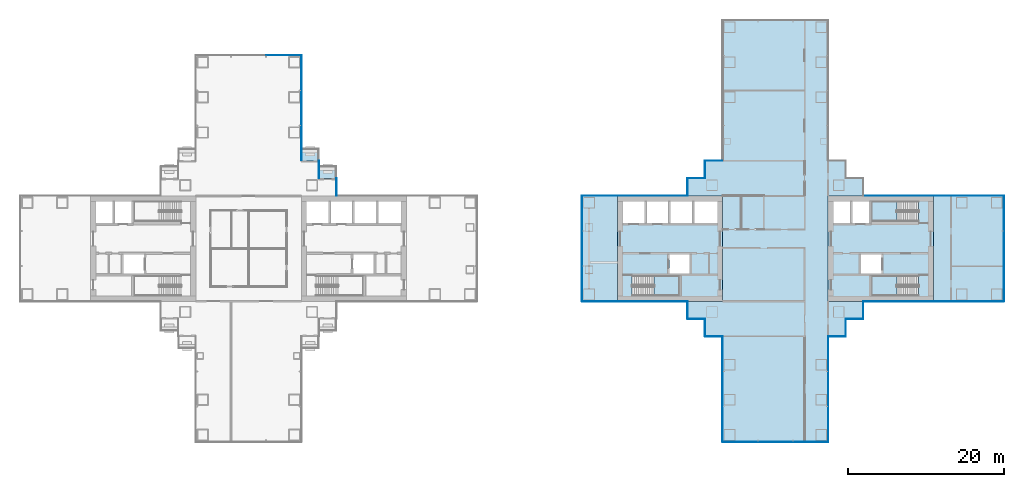
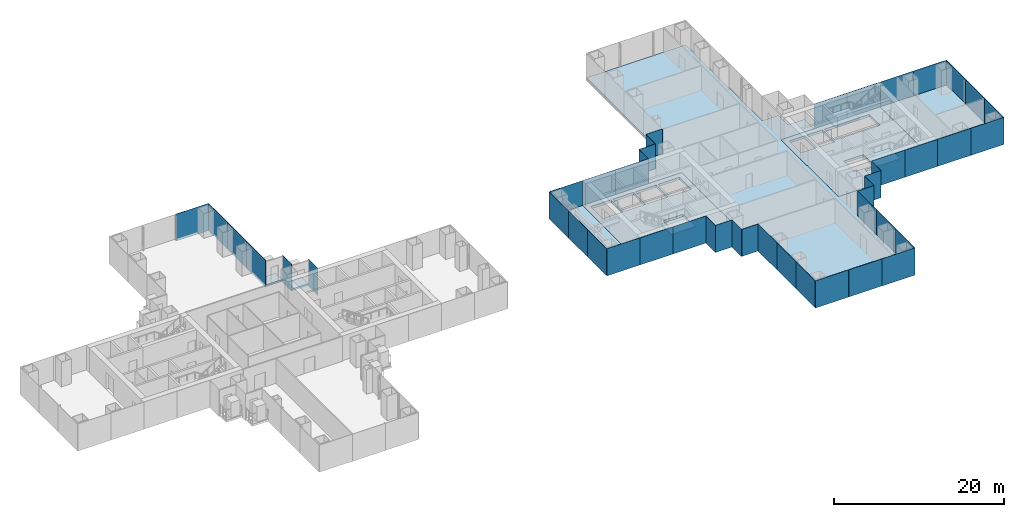
# One storey, part 12 of 21: 47 plates, 10 slabs, 22 elements without a shape of their own.
"""IFC4 building model written with IfcOpenShell, lengths in metres."""

import ifcopenshell
import ifcopenshell.guid

model = None  # the IFC model being written
_history = None  # IfcOwnerHistory: only IFC2X3 demands one
_inside = {}  # id of a spatial element -> (the spatial element, [elements in it])
_under = {}  # id of a project, library or spatial element -> (it, [spatial elements below it])
_declared = {}  # id of a project -> (the project, [libraries it declares])
_typed = {}  # id of a type object -> (the type object, [elements of that type])
_made_of = {}  # id of a material, layer set ... -> (it, [elements and type objects made of it])


def new_model(schema):
    """Start an empty IFC model of exactly this schema.

    Asked for "IFC4X3", IfcOpenShell would pick the latest addendum, in which some entities
    have other attributes; the version numbers below select the first issue.
    IFC2X3 requires an IfcOwnerHistory on every rooted entity: one is made here for all.
    """
    global model, _history
    if schema == "IFC4X3":
        model = ifcopenshell.file(schema_version=(4, 3, 0, 0))
    else:
        model = ifcopenshell.file(schema=schema)
    _inside.clear()
    _under.clear()
    _declared.clear()
    _typed.clear()
    _made_of.clear()
    _history = None
    if model.schema == "IFC2X3":
        org = make("IfcOrganization", Name="unknown")
        user = make(
            "IfcPersonAndOrganization",
            ThePerson=make("IfcPerson", FamilyName="unknown"),
            TheOrganization=org,
        )
        app = make(
            "IfcApplication",
            ApplicationDeveloper=org,
            Version="unknown",
            ApplicationFullName="unknown",
            ApplicationIdentifier="unknown",
        )
        _history = make(
            "IfcOwnerHistory",
            OwningUser=user,
            OwningApplication=app,
            ChangeAction="ADDED",
            CreationDate=0,
        )
    return model


def make(cls, **values):
    """One entity of the class cls with the attributes given. An attribute that is None is left unset."""
    return model.create_entity(
        cls, **{name: value for name, value in values.items() if value is not None}
    )


def rooted(cls, **values):
    """An entity with a GlobalId (a new one), such as an element, a storey or a relation."""
    return make(cls, GlobalId=ifcopenshell.guid.new(), OwnerHistory=_history, **values)


def si_unit(unit_type, name, prefix=None):
    """IfcSIUnit, for example si_unit("LENGTHUNIT", "METRE", prefix="MILLI")."""
    return make("IfcSIUnit", UnitType=unit_type, Prefix=prefix, Name=name)


def assignment(units):
    """IfcUnitAssignment: the units of a project."""
    return None if units is None else make("IfcUnitAssignment", Units=units)


def point(xyz):
    """IfcCartesianPoint."""
    return None if xyz is None else make("IfcCartesianPoint", Coordinates=xyz)


def direction(xyz):
    """IfcDirection."""
    return None if xyz is None else make("IfcDirection", DirectionRatios=xyz)


def frame(location, z_axis=None, x_axis=None):
    """IfcAxis2Placement3D, a coordinate frame: its origin and axes. An axis left out is left unset."""
    return make(
        "IfcAxis2Placement3D",
        Location=point(location),
        Axis=direction(z_axis),
        RefDirection=direction(x_axis),
    )


def frame_2d(location, x_axis=None):
    """IfcAxis2Placement2D, a coordinate frame in the plane: its origin and x axis."""
    return make(
        "IfcAxis2Placement2D", Location=point(location), RefDirection=direction(x_axis)
    )


def origin():
    """The frame at (0, 0, 0) with its axes left unset."""
    return frame((0.0, 0.0, 0.0))


def origin_2d():
    """The frame at (0, 0) in the plane with its x axis left unset."""
    return frame_2d((0.0, 0.0))


def place(relative_to, where):
    """IfcLocalPlacement: puts the frame where relative to a parent placement (None: the world)."""
    return make(
        "IfcLocalPlacement", PlacementRelTo=relative_to, RelativePlacement=where
    )


def context(
    kind, dimensions, precision=None, world=None, true_north=None, identifier=None
):
    """IfcGeometricRepresentationContext, for example the 3D "Model" context."""
    return make(
        "IfcGeometricRepresentationContext",
        ContextIdentifier=identifier,
        ContextType=kind,
        CoordinateSpaceDimension=dimensions,
        Precision=precision,
        WorldCoordinateSystem=world,
        TrueNorth=true_north,
    )


def subcontext(parent, identifier, kind, view, scale=None):
    """IfcGeometricRepresentationSubContext, for example "Body" below "Model"."""
    return make(
        "IfcGeometricRepresentationSubContext",
        ContextIdentifier=identifier,
        ContextType=kind,
        ParentContext=parent,
        TargetScale=scale,
        TargetView=view,
    )


def project(units=None, contexts=None):
    """IfcProject with its units and contexts."""
    return rooted(
        "IfcProject",
        Name="project",
        RepresentationContexts=contexts,
        UnitsInContext=assignment(units),
    )


def spatial(cls, under=None, at=None, **own):
    """A site, building, storey or space (cls), placed at a placement, below another one or the project."""
    s = rooted(cls, ObjectPlacement=at, **own)
    if under is not None:
        _under.setdefault(under.id(), (under, []))[1].append(s)
    return s


def polyline(points):
    """IfcPolyline through the points."""
    return make("IfcPolyline", Points=[point(p) for p in points])


def profile(cls, at=None, kind="AREA", **sizes):
    """A parametric profile (cls). Its sizes go by their IFC names, for example OverallWidth=200.0."""
    return make(cls, ProfileType=kind, Position=at, **sizes)


def rectangle(**sizes):
    """IfcRectangleProfileDef."""
    return profile("IfcRectangleProfileDef", **sizes)


def outline(outer, holes=None, kind="AREA"):
    """IfcArbitraryClosedProfileDef: a profile drawn as a closed curve; with holes, ...WithVoids."""
    if holes is None:
        return make("IfcArbitraryClosedProfileDef", ProfileType=kind, OuterCurve=outer)
    return make(
        "IfcArbitraryProfileDefWithVoids",
        ProfileType=kind,
        OuterCurve=outer,
        InnerCurves=holes,
    )


def extrude(swept, where, along, depth):
    """IfcExtrudedAreaSolid: the profile swept, set in the frame where, extruded along a direction by depth."""
    return make(
        "IfcExtrudedAreaSolid",
        SweptArea=swept,
        Position=where,
        ExtrudedDirection=direction(along),
        Depth=depth,
    )


def shape(context_of_items, identifier, shape_type, items):
    """IfcShapeRepresentation: the items that make up one representation, for example the "Body"."""
    return make(
        "IfcShapeRepresentation",
        ContextOfItems=context_of_items,
        RepresentationIdentifier=identifier,
        RepresentationType=shape_type,
        Items=items,
    )


def material(Name=None, Category=None):
    """IfcMaterial."""
    return make("IfcMaterial", Name=Name, Category=Category)


def layer(
    of_material, thickness, ventilated=None, Name=None, Category=None, Priority=None
):
    """IfcMaterialLayer: one layer of a wall or slab, of a material (None: an air gap)."""
    return make(
        "IfcMaterialLayer",
        Material=of_material,
        LayerThickness=thickness,
        IsVentilated=ventilated,
        Name=Name,
        Category=Category,
        Priority=Priority,
    )


def layer_set(layers, Name=None):
    """IfcMaterialLayerSet."""
    return make("IfcMaterialLayerSet", MaterialLayers=layers, LayerSetName=Name)


def made_of(thing, what):
    """Note that an element or type object is made of a material, layer set ...; save() writes the relation."""
    if what is not None:
        _made_of.setdefault(what.id(), (what, []))[1].append(thing)
    return thing


def type_object(cls, material=None, **own):
    """A type object (cls), such as IfcWallType, which elements share."""
    return made_of(rooted(cls, **own), material)


def element(
    cls,
    number,
    at=None,
    inside=None,
    cuts=None,
    type_object=None,
    material=None,
    context=None,
    identifier="Body",
    shape_type=None,
    held_by="IfcProductDefinitionShape",
    body=None,
    shapes=None,
    **own,
):
    """One element of the class cls, such as IfcWall. Its Tag is "e" and its number.

    at: its placement. inside: the storey or other place that contains it. cuts: it is an
    opening in that element (IfcRelVoidsElement). A single representation is given by context,
    identifier, shape_type and body (its items); several are given by shapes. held_by: the class
    of the entity that holds the representations. save() writes the other relations.
    """
    e = rooted(cls, Tag="e%d" % number, ObjectPlacement=at, **own)
    if body is not None:
        shapes = [shape(context, identifier, shape_type, body)]
    if shapes is not None:
        e.Representation = make(held_by, Representations=shapes)
    if inside is not None:
        _inside.setdefault(inside.id(), (inside, []))[1].append(e)
    if cuts is not None:
        rooted(
            "IfcRelVoidsElement", RelatingBuildingElement=cuts, RelatedOpeningElement=e
        )
    if type_object is not None:
        _typed.setdefault(type_object.id(), (type_object, []))[1].append(e)
    return made_of(e, material)


def aggregate(whole, parts):
    """IfcRelAggregates: a whole, such as a stair, and the parts it consists of."""
    return rooted("IfcRelAggregates", RelatingObject=whole, RelatedObjects=parts)


def save(model, path):
    """Write the relations noted so far, then the file.

    IfcRelAggregates (storeys below a building ...), IfcRelContainedInSpatialStructure (elements
    in a storey), IfcRelDefinesByType, IfcRelAssociatesMaterial and IfcRelDeclares: one each for
    every whole, place, type object, material and project.
    """
    for whole, parts in _under.values():
        aggregate(whole, parts)
    for where, things in _inside.values():
        rooted(
            "IfcRelContainedInSpatialStructure",
            RelatedElements=things,
            RelatingStructure=where,
        )
    for kind, things in _typed.values():
        rooted("IfcRelDefinesByType", RelatedObjects=things, RelatingType=kind)
    for what, things in _made_of.values():
        rooted("IfcRelAssociatesMaterial", RelatedObjects=things, RelatingMaterial=what)
    for by, libraries in _declared.values():
        rooted("IfcRelDeclares", RelatingContext=by, RelatedDefinitions=libraries)
    model.write(path)


model = new_model("IFC4")

# Units and contexts
model_context = context("Model", 3, precision=1e-05, world=origin(), true_north=direction((0.0, 1.0)))
body_context = subcontext(model_context, "Body", "Model", "MODEL_VIEW")
ifc_project = project(units=[si_unit("LENGTHUNIT", "METRE"), si_unit("AREAUNIT", "SQUARE_METRE"), si_unit("VOLUMEUNIT", "CUBIC_METRE"), si_unit("PLANEANGLEUNIT", "RADIAN"), si_unit("MASSUNIT", "GRAM", prefix="KILO")], contexts=[model_context])

# Site, building, storey
site_placement = place(None, origin())
site = spatial("IfcSite", under=ifc_project, at=site_placement, CompositionType="ELEMENT")
building_placement = place(site_placement, origin())
building = spatial("IfcBuilding", under=site, at=building_placement, Name="Shamsa Quay Exchange Towers", CompositionType="ELEMENT")
storey_placement = place(building_placement, frame((0.0, 0.0, 65.39990234375)))
storey = spatial("IfcBuildingStorey", under=building, at=storey_placement, Name="L14", CompositionType="ELEMENT", Elevation=65.39990234375)

# Slabs
ifc_material_1 = material(Name="Precast concrete C40/50", Category="concrete")
ifc_layer_1 = layer(ifc_material_1, 0.25)
ifc_layer_set_1 = layer_set([ifc_layer_1], Name="BALCONY SLAB 250")
slab_type_1 = type_object("IfcSlabType", Name="BALCONY SLAB 250", PredefinedType="FLOOR", material=ifc_layer_set_1)
slab_1_placement = place(storey_placement, frame((0.0, 0.0, -0.25)))
element("IfcSlab", 1, at=slab_1_placement, inside=storey, type_object=slab_type_1, Name="Balcony T1-PKEN L14", PredefinedType="FLOOR", context=body_context, shape_type="SweptSolid", body=[
    extrude(outline(polyline([(-22.5, 9.0), (-24.7119140625, 9.0), (-24.7119140625, 10.550048828125), (-22.5, 10.550048828125), (-22.5, 9.0)])), origin(), (0.0, 0.0, 1.0), 0.25),
])
slab_2_placement = place(storey_placement, frame((0.0, 0.0, -0.25)))
element("IfcSlab", 2, at=slab_2_placement, inside=storey, type_object=slab_type_1, Name="Balcony T1-PKEN L14", PredefinedType="FLOOR", context=body_context, shape_type="SweptSolid", body=[
    extrude(outline(polyline([(-24.75, 11.25), (-26.9619140625, 11.25), (-26.9619140625, 12.800048828125), (-24.75, 12.800048828125), (-24.75, 11.25)])), origin(), (0.0, 0.0, 1.0), 0.25),
])
ifc_material_2 = material(Name="Concrete C50/60", Category="concrete")
ifc_layer_2 = layer(ifc_material_2, 0.35009765625)
ifc_layer_set_2 = layer_set([ifc_layer_2], Name="CORE FLOOR 350 C50/60")
slab_type_2 = type_object("IfcSlabType", Name="CORE FLOOR 350 C50/60", PredefinedType="FLOOR", material=ifc_layer_set_2)
slab_3_placement = place(storey_placement, frame((0.0, 0.0, -0.349853515625)))
element("IfcSlab", 3, at=slab_3_placement, inside=storey, type_object=slab_type_2, Name="Core floor T2A", PredefinedType="FLOOR", context=body_context, shape_type="SweptSolid", body=[
    extrude(outline(polyline([(13.5, -6.75), (27.0, -6.75), (27.0, 6.75), (13.5, 6.75), (13.5, -6.75)]), holes=[polyline([(15.400634765625, -6.050048828125), (15.400634765625, -3.5), (21.5, -3.5), (21.5, -6.050048828125), (15.400634765625, -6.050048828125)]), polyline([(14.199951171875, 3.25), (14.199951171875, 6.050048828125), (17.0, 6.050048828125), (17.0, 3.25), (14.199951171875, 3.25)]), polyline([(17.25, 3.25), (17.25, 6.050048828125), (20.050048828125, 6.050048828125), (20.050048828125, 3.25), (17.25, 3.25)]), polyline([(20.300048828125, 3.25), (20.300048828125, 6.050048828125), (23.10009765625, 6.050048828125), (23.10009765625, 3.25), (20.300048828125, 3.25)]), polyline([(23.35009765625, 3.25), (23.35009765625, 6.050048828125), (26.300048828125, 6.050048828125), (26.300048828125, 3.25), (23.35009765625, 3.25)]), polyline([(20.14990234375, -3.25), (20.14990234375, -0.75), (22.800048828125, -0.75), (22.800048828125, -3.25), (20.14990234375, -3.25)])]), origin(), (0.0, 0.0, 1.0), 0.349853515625),
])
slab_4_placement = place(storey_placement, frame((0.0, 0.0, -0.349853515625)))
element("IfcSlab", 4, at=slab_4_placement, inside=storey, type_object=slab_type_2, Name="Core floor T2B", PredefinedType="FLOOR", context=body_context, shape_type="SweptSolid", body=[
    extrude(outline(polyline([(54.0, -6.75), (54.0, 6.75), (40.5, 6.75), (40.5, -6.75), (54.0, -6.75)]), holes=[polyline([(52.099365234375, -3.5), (52.099365234375, -6.050048828125), (46.0, -6.050048828125), (46.0, -3.5), (52.099365234375, -3.5)]), polyline([(52.099365234375, 6.050048828125), (52.099365234375, 3.5), (46.0, 3.5), (46.0, 6.050048828125), (52.099365234375, 6.050048828125)]), polyline([(45.75, 3.25), (43.60009765625, 3.25), (43.60009765625, 6.050048828125), (45.75, 6.050048828125), (45.75, 3.25)]), polyline([(43.35009765625, 3.25), (41.199951171875, 3.25), (41.199951171875, 6.050048828125), (43.35009765625, 6.050048828125), (43.35009765625, 3.25)]), polyline([(47.35009765625, -3.25), (44.699951171875, -3.25), (44.699951171875, -0.75), (47.35009765625, -0.75), (47.35009765625, -3.25)])]), origin(), (0.0, 0.0, 1.0), 0.349853515625),
])

# Stair, slab
ifc_material_3 = material(Name="Concrete C40/50", Category="concrete")
stair_type = type_object("IfcStairType", Name="EXIT STAIR 22 RISERS 177 MM", PredefinedType="HALF_TURN_STAIR", material=ifc_material_3)
stair_1_placement = place(storey_placement, origin())
stair_1 = element("IfcStair", 5, at=stair_1_placement, inside=storey, type_object=stair_type, Name="L14 Exit stair ST4", PredefinedType="HALF_TURN_STAIR")
ifc_layer_3 = layer(ifc_material_3, 0.199951171875)
ifc_layer_set_3 = layer_set([ifc_layer_3], Name="CORE STAIR LANDING")
slab_type_3 = type_object("IfcSlabType", Name="CORE STAIR LANDING", PredefinedType="LANDING", material=ifc_layer_set_3)
slab_5_placement = place(storey_placement, frame((0.0, 0.0, 1.75)))
slab_5 = element("IfcSlab", 6, at=slab_5_placement, type_object=slab_type_3, Name="ST4 landing 1", PredefinedType="LANDING", context=body_context, shape_type="SweptSolid", body=[
    extrude(outline(polyline([(18.199951171875, -6.050048828125), (21.5, -6.050048828125), (21.5, -3.5), (18.199951171875, -3.5), (18.199951171875, -6.050048828125)])), origin(), (0.0, 0.0, 1.0), 0.2001953125),
])
aggregate(stair_1, [slab_5])

stair_2_placement = place(storey_placement, origin())
stair_2 = element("IfcStair", 7, at=stair_2_placement, inside=storey, type_object=stair_type, Name="L14 Exit stair ST5", PredefinedType="HALF_TURN_STAIR")
slab_6_placement = place(storey_placement, frame((0.0, 0.0, 1.75)))
slab_6 = element("IfcSlab", 8, at=slab_6_placement, type_object=slab_type_3, Name="ST5 landing 1", PredefinedType="LANDING", context=body_context, shape_type="SweptSolid", body=[
    extrude(outline(polyline([(49.300048828125, -3.5), (46.0, -3.5), (46.0, -6.050048828125), (49.300048828125, -6.050048828125), (49.300048828125, -3.5)])), origin(), (0.0, 0.0, 1.0), 0.2001953125),
])
aggregate(stair_2, [slab_6])

stair_3_placement = place(storey_placement, origin())
stair_3 = element("IfcStair", 9, at=stair_3_placement, inside=storey, type_object=stair_type, Name="L14 Exit stair ST6", PredefinedType="HALF_TURN_STAIR")
slab_7_placement = place(storey_placement, frame((0.0, 0.0, 1.75)))
slab_7 = element("IfcSlab", 10, at=slab_7_placement, type_object=slab_type_3, Name="ST6 landing 1", PredefinedType="LANDING", context=body_context, shape_type="SweptSolid", body=[
    extrude(outline(polyline([(49.300048828125, 6.050048828125), (46.0, 6.050048828125), (46.0, 3.5), (49.300048828125, 3.5), (49.300048828125, 6.050048828125)])), origin(), (0.0, 0.0, 1.0), 0.2001953125),
])
aggregate(stair_3, [slab_7])

# Curtain wall, plates
ifc_material_4 = material(Name="Aluminium EN AW-6063 T6, black anodised", Category="aluminium")
ifc_layer_4 = layer(ifc_material_4, 0.280029296875)
ifc_layer_set_4 = layer_set([ifc_layer_4], Name="CW-1 UNITISED VISION GLASS")
curtain_wall_type_1 = type_object("IfcCurtainWallType", Name="CW-1 UNITISED VISION GLASS", PredefinedType="NOTDEFINED", material=ifc_layer_set_4)
curtain_wall_1_placement = place(storey_placement, origin())
curtain_wall_1 = element("IfcCurtainWall", 11, at=curtain_wall_1_placement, inside=storey, type_object=curtain_wall_type_1, Name="CW1 T1-FLK-V+E L14", PredefinedType="NOTDEFINED")
ifc_material_5 = material(Name="Glass, laminated, dark tinted", Category="glass")
ifc_layer_5 = layer(ifc_material_5, 0.0400390625)
ifc_layer_set_5 = layer_set([ifc_layer_5], Name="CW-1 VISION GLASS 40")
plate_type_1 = type_object("IfcPlateType", Name="CW-1 VISION GLASS 40", PredefinedType="CURTAIN_PANEL", material=ifc_layer_set_5)
plate_1_placement = place(storey_placement, frame((-26.97998046875, 13.529052734375, -0.349853515625), z_axis=(0.0, 0.0, 1.0), x_axis=(0.0, 1.0, 0.0)))
plate_1 = element("IfcPlate", 12, at=plate_1_placement, type_object=plate_type_1, Name="CW1 glass panel", PredefinedType="CURTAIN_PANEL", context=body_context, shape_type="SweptSolid", body=[
    extrude(rectangle(XDim=4.482421875, YDim=0.0400390625, at=origin_2d()), origin(), (0.0, 0.0, 1.0), 3.89990234375),
])
plate_2_placement = place(storey_placement, frame((-26.97998046875, 18.01904296875, -0.349853515625), z_axis=(0.0, 0.0, 1.0), x_axis=(0.0, 1.0, 0.0)))
plate_2 = element("IfcPlate", 13, at=plate_2_placement, type_object=plate_type_1, Name="CW1 glass panel", PredefinedType="CURTAIN_PANEL", context=body_context, shape_type="SweptSolid", body=[
    extrude(rectangle(XDim=4.477294921875, YDim=0.0400390625, at=origin_2d()), origin(), (0.0, 0.0, 1.0), 3.89990234375),
])
plate_3_placement = place(storey_placement, frame((-26.97998046875, 22.5087890625, -0.349853515625), z_axis=(0.0, 0.0, 1.0), x_axis=(0.0, 1.0, 0.0)))
plate_3 = element("IfcPlate", 14, at=plate_3_placement, type_object=plate_type_1, Name="CW1 glass panel", PredefinedType="CURTAIN_PANEL", context=body_context, shape_type="SweptSolid", body=[
    extrude(rectangle(XDim=4.482421875, YDim=0.0400390625, at=origin_2d()), origin(), (0.0, 0.0, 1.0), 3.89990234375),
])
aggregate(curtain_wall_1, [plate_1, plate_2, plate_3])

# Curtain wall, plate
curtain_wall_2_placement = place(storey_placement, origin())
curtain_wall_2 = element("IfcCurtainWall", 15, at=curtain_wall_2_placement, inside=storey, type_object=curtain_wall_type_1, Name="CW1 T1-END-V+ L14", PredefinedType="NOTDEFINED")
plate_4_placement = place(storey_placement, frame((-29.24755859375, 24.77001953125, -0.349853515625), z_axis=(0.0, 0.0, 1.0), x_axis=(-1.0, 0.0, 0.0)))
plate_4 = element("IfcPlate", 16, at=plate_4_placement, type_object=plate_type_1, Name="CW1 glass panel", PredefinedType="CURTAIN_PANEL", context=body_context, shape_type="SweptSolid", body=[
    extrude(rectangle(XDim=4.4951171875, YDim=0.0400390625, at=origin_2d()), origin(), (0.0, 0.0, 1.0), 3.89990234375),
])
aggregate(curtain_wall_2, [plate_4])

# Curtain wall, plates
curtain_wall_3_placement = place(storey_placement, origin())
curtain_wall_3 = element("IfcCurtainWall", 17, at=curtain_wall_3_placement, inside=storey, type_object=curtain_wall_type_1, Name="CW1 T2-FLK-V-W L14", PredefinedType="NOTDEFINED")
plate_5_placement = place(storey_placement, frame((56.24755859375, -6.77001953125, -0.349853515625)))
plate_5 = element("IfcPlate", 18, at=plate_5_placement, type_object=plate_type_1, Name="CW1 glass panel", PredefinedType="CURTAIN_PANEL", context=body_context, shape_type="SweptSolid", body=[
    extrude(rectangle(XDim=4.4951171875, YDim=0.0400390625, at=origin_2d()), origin(), (0.0, 0.0, 1.0), 3.89990234375),
])
plate_6_placement = place(storey_placement, frame((60.75244140625, -6.77001953125, -0.349853515625)))
plate_6 = element("IfcPlate", 19, at=plate_6_placement, type_object=plate_type_1, Name="CW1 glass panel", PredefinedType="CURTAIN_PANEL", context=body_context, shape_type="SweptSolid", body=[
    extrude(rectangle(XDim=4.4951171875, YDim=0.0400390625, at=origin_2d()), origin(), (0.0, 0.0, 1.0), 3.89990234375),
])
aggregate(curtain_wall_3, [plate_5, plate_6])

curtain_wall_4_placement = place(storey_placement, origin())
curtain_wall_4 = element("IfcCurtainWall", 20, at=curtain_wall_4_placement, inside=storey, type_object=curtain_wall_type_1, Name="CW1 T2-END-V- L14", PredefinedType="NOTDEFINED")
plate_7_placement = place(storey_placement, frame((63.02001953125, -4.50244140625, -0.349853515625), z_axis=(0.0, 0.0, 1.0), x_axis=(0.0, 1.0, 0.0)))
plate_7 = element("IfcPlate", 21, at=plate_7_placement, type_object=plate_type_1, Name="CW1 glass panel", PredefinedType="CURTAIN_PANEL", context=body_context, shape_type="SweptSolid", body=[
    extrude(rectangle(XDim=4.4951171875, YDim=0.0400390625, at=origin_2d()), origin(), (0.0, 0.0, 1.0), 3.89990234375),
])
plate_8_placement = place(storey_placement, frame((63.02001953125, 0.0, -0.349853515625), z_axis=(0.0, 0.0, 1.0), x_axis=(0.0, 1.0, 0.0)))
plate_8 = element("IfcPlate", 22, at=plate_8_placement, type_object=plate_type_1, Name="CW1 glass panel", PredefinedType="CURTAIN_PANEL", context=body_context, shape_type="SweptSolid", body=[
    extrude(rectangle(XDim=4.489990234375, YDim=0.0400390625, at=origin_2d()), origin(), (0.0, 0.0, 1.0), 3.89990234375),
])
plate_9_placement = place(storey_placement, frame((63.02001953125, 4.50244140625, -0.349853515625), z_axis=(0.0, 0.0, 1.0), x_axis=(0.0, 1.0, 0.0)))
plate_9 = element("IfcPlate", 23, at=plate_9_placement, type_object=plate_type_1, Name="CW1 glass panel", PredefinedType="CURTAIN_PANEL", context=body_context, shape_type="SweptSolid", body=[
    extrude(rectangle(XDim=4.4951171875, YDim=0.0400390625, at=origin_2d()), origin(), (0.0, 0.0, 1.0), 3.89990234375),
])
aggregate(curtain_wall_4, [plate_7, plate_8, plate_9])

curtain_wall_5_placement = place(storey_placement, origin())
curtain_wall_5 = element("IfcCurtainWall", 24, at=curtain_wall_5_placement, inside=storey, type_object=curtain_wall_type_1, Name="CW1 T2-FLK-V-E L14", PredefinedType="NOTDEFINED")
plate_10_placement = place(storey_placement, frame((60.75244140625, 6.77001953125, -0.349853515625), z_axis=(0.0, 0.0, 1.0), x_axis=(-1.0, 0.0, 0.0)))
plate_10 = element("IfcPlate", 25, at=plate_10_placement, type_object=plate_type_1, Name="CW1 glass panel", PredefinedType="CURTAIN_PANEL", context=body_context, shape_type="SweptSolid", body=[
    extrude(rectangle(XDim=4.4951171875, YDim=0.0400390625, at=origin_2d()), origin(), (0.0, 0.0, 1.0), 3.89990234375),
])
plate_11_placement = place(storey_placement, frame((56.24755859375, 6.77001953125, -0.349853515625), z_axis=(0.0, 0.0, 1.0), x_axis=(-1.0, 0.0, 0.0)))
plate_11 = element("IfcPlate", 26, at=plate_11_placement, type_object=plate_type_1, Name="CW1 glass panel", PredefinedType="CURTAIN_PANEL", context=body_context, shape_type="SweptSolid", body=[
    extrude(rectangle(XDim=4.4951171875, YDim=0.0400390625, at=origin_2d()), origin(), (0.0, 0.0, 1.0), 3.89990234375),
])
aggregate(curtain_wall_5, [plate_10, plate_11])

# Curtain wall, plate
curtain_wall_6_placement = place(storey_placement, origin())
curtain_wall_6 = element("IfcCurtainWall", 27, at=curtain_wall_6_placement, inside=storey, type_object=curtain_wall_type_1, Name="CW1 T2-FLK-V+E L14", PredefinedType="NOTDEFINED")
plate_12_placement = place(storey_placement, frame((11.25, 6.77001953125, -0.349853515625), z_axis=(0.0, 0.0, 1.0), x_axis=(-1.0, 0.0, 0.0)))
plate_12 = element("IfcPlate", 28, at=plate_12_placement, type_object=plate_type_1, Name="CW1 glass panel", PredefinedType="CURTAIN_PANEL", context=body_context, shape_type="SweptSolid", body=[
    extrude(rectangle(XDim=4.5, YDim=0.0400390625, at=origin_2d()), origin(), (0.0, 0.0, 1.0), 3.89990234375),
])
aggregate(curtain_wall_6, [plate_12])

# Curtain wall, plates
curtain_wall_7_placement = place(storey_placement, origin())
curtain_wall_7 = element("IfcCurtainWall", 29, at=curtain_wall_7_placement, inside=storey, type_object=curtain_wall_type_1, Name="CW1 T2-END-V+ L14", PredefinedType="NOTDEFINED")
plate_13_placement = place(storey_placement, frame((8.97998046875, 4.50244140625, -0.349853515625), z_axis=(0.0, 0.0, 1.0), x_axis=(0.0, -1.0, 0.0)))
plate_13 = element("IfcPlate", 30, at=plate_13_placement, type_object=plate_type_1, Name="CW1 glass panel", PredefinedType="CURTAIN_PANEL", context=body_context, shape_type="SweptSolid", body=[
    extrude(rectangle(XDim=4.4951171875, YDim=0.0400390625, at=origin_2d()), origin(), (0.0, 0.0, 1.0), 3.89990234375),
])
plate_14_placement = place(storey_placement, frame((8.97998046875, 0.0, -0.349853515625), z_axis=(0.0, 0.0, 1.0), x_axis=(0.0, -1.0, 0.0)))
plate_14 = element("IfcPlate", 31, at=plate_14_placement, type_object=plate_type_1, Name="CW1 glass panel", PredefinedType="CURTAIN_PANEL", context=body_context, shape_type="SweptSolid", body=[
    extrude(rectangle(XDim=4.489990234375, YDim=0.0400390625, at=origin_2d()), origin(), (0.0, 0.0, 1.0), 3.89990234375),
])
plate_15_placement = place(storey_placement, frame((8.97998046875, -4.50244140625, -0.349853515625), z_axis=(0.0, 0.0, 1.0), x_axis=(0.0, -1.0, 0.0)))
plate_15 = element("IfcPlate", 32, at=plate_15_placement, type_object=plate_type_1, Name="CW1 glass panel", PredefinedType="CURTAIN_PANEL", context=body_context, shape_type="SweptSolid", body=[
    extrude(rectangle(XDim=4.4951171875, YDim=0.0400390625, at=origin_2d()), origin(), (0.0, 0.0, 1.0), 3.89990234375),
])
aggregate(curtain_wall_7, [plate_13, plate_14, plate_15])

# Curtain wall, plate
curtain_wall_8_placement = place(storey_placement, origin())
curtain_wall_8 = element("IfcCurtainWall", 33, at=curtain_wall_8_placement, inside=storey, type_object=curtain_wall_type_1, Name="CW1 T2-FLK-V+W L14", PredefinedType="NOTDEFINED")
plate_16_placement = place(storey_placement, frame((11.25, -6.77001953125, -0.349853515625)))
plate_16 = element("IfcPlate", 34, at=plate_16_placement, type_object=plate_type_1, Name="CW1 glass panel", PredefinedType="CURTAIN_PANEL", context=body_context, shape_type="SweptSolid", body=[
    extrude(rectangle(XDim=4.5, YDim=0.0400390625, at=origin_2d()), origin(), (0.0, 0.0, 1.0), 3.89990234375),
])
aggregate(curtain_wall_8, [plate_16])

# Curtain wall, plates
curtain_wall_9_placement = place(storey_placement, origin())
curtain_wall_9 = element("IfcCurtainWall", 35, at=curtain_wall_9_placement, inside=storey, type_object=curtain_wall_type_1, Name="CW1 T2-FLK-U-N L14", PredefinedType="NOTDEFINED")
plate_17_placement = place(storey_placement, frame((26.97998046875, -13.529052734375, -0.349853515625), z_axis=(0.0, 0.0, 1.0), x_axis=(0.0, -1.0, 0.0)))
plate_17 = element("IfcPlate", 36, at=plate_17_placement, type_object=plate_type_1, Name="CW1 glass panel", PredefinedType="CURTAIN_PANEL", context=body_context, shape_type="SweptSolid", body=[
    extrude(rectangle(XDim=4.482421875, YDim=0.0400390625, at=origin_2d()), origin(), (0.0, 0.0, 1.0), 3.89990234375),
])
plate_18_placement = place(storey_placement, frame((26.97998046875, -18.01904296875, -0.349853515625), z_axis=(0.0, 0.0, 1.0), x_axis=(0.0, -1.0, 0.0)))
plate_18 = element("IfcPlate", 37, at=plate_18_placement, type_object=plate_type_1, Name="CW1 glass panel", PredefinedType="CURTAIN_PANEL", context=body_context, shape_type="SweptSolid", body=[
    extrude(rectangle(XDim=4.477294921875, YDim=0.0400390625, at=origin_2d()), origin(), (0.0, 0.0, 1.0), 3.89990234375),
])
plate_19_placement = place(storey_placement, frame((26.97998046875, -22.5087890625, -0.349853515625), z_axis=(0.0, 0.0, 1.0), x_axis=(0.0, -1.0, 0.0)))
plate_19 = element("IfcPlate", 38, at=plate_19_placement, type_object=plate_type_1, Name="CW1 glass panel", PredefinedType="CURTAIN_PANEL", context=body_context, shape_type="SweptSolid", body=[
    extrude(rectangle(XDim=4.482421875, YDim=0.0400390625, at=origin_2d()), origin(), (0.0, 0.0, 1.0), 3.89990234375),
])
aggregate(curtain_wall_9, [plate_17, plate_18, plate_19])

curtain_wall_10_placement = place(storey_placement, origin())
curtain_wall_10 = element("IfcCurtainWall", 39, at=curtain_wall_10_placement, inside=storey, type_object=curtain_wall_type_1, Name="CW1 T2-END-U- L14", PredefinedType="NOTDEFINED")
plate_20_placement = place(storey_placement, frame((29.24755859375, -24.77001953125, -0.349853515625)))
plate_20 = element("IfcPlate", 40, at=plate_20_placement, type_object=plate_type_1, Name="CW1 glass panel", PredefinedType="CURTAIN_PANEL", context=body_context, shape_type="SweptSolid", body=[
    extrude(rectangle(XDim=4.4951171875, YDim=0.0400390625, at=origin_2d()), origin(), (0.0, 0.0, 1.0), 3.89990234375),
])
plate_21_placement = place(storey_placement, frame((33.75, -24.77001953125, -0.349853515625)))
plate_21 = element("IfcPlate", 41, at=plate_21_placement, type_object=plate_type_1, Name="CW1 glass panel", PredefinedType="CURTAIN_PANEL", context=body_context, shape_type="SweptSolid", body=[
    extrude(rectangle(XDim=4.489990234375, YDim=0.0400390625, at=origin_2d()), origin(), (0.0, 0.0, 1.0), 3.89990234375),
])
plate_22_placement = place(storey_placement, frame((38.25244140625, -24.77001953125, -0.349853515625)))
plate_22 = element("IfcPlate", 42, at=plate_22_placement, type_object=plate_type_1, Name="CW1 glass panel", PredefinedType="CURTAIN_PANEL", context=body_context, shape_type="SweptSolid", body=[
    extrude(rectangle(XDim=4.4951171875, YDim=0.0400390625, at=origin_2d()), origin(), (0.0, 0.0, 1.0), 3.89990234375),
])
aggregate(curtain_wall_10, [plate_20, plate_21, plate_22])

curtain_wall_11_placement = place(storey_placement, origin())
curtain_wall_11 = element("IfcCurtainWall", 43, at=curtain_wall_11_placement, inside=storey, type_object=curtain_wall_type_1, Name="CW1 T2-FLK-U-S L14", PredefinedType="NOTDEFINED")
plate_23_placement = place(storey_placement, frame((40.52001953125, -22.50244140625, -0.349853515625), z_axis=(0.0, 0.0, 1.0), x_axis=(0.0, 1.0, 0.0)))
plate_23 = element("IfcPlate", 44, at=plate_23_placement, type_object=plate_type_1, Name="CW1 glass panel", PredefinedType="CURTAIN_PANEL", context=body_context, shape_type="SweptSolid", body=[
    extrude(rectangle(XDim=4.4951171875, YDim=0.0400390625, at=origin_2d()), origin(), (0.0, 0.0, 1.0), 3.89990234375),
])
plate_24_placement = place(storey_placement, frame((40.52001953125, -18.0, -0.349853515625), z_axis=(0.0, 0.0, 1.0), x_axis=(0.0, 1.0, 0.0)))
plate_24 = element("IfcPlate", 45, at=plate_24_placement, type_object=plate_type_1, Name="CW1 glass panel", PredefinedType="CURTAIN_PANEL", context=body_context, shape_type="SweptSolid", body=[
    extrude(rectangle(XDim=4.489990234375, YDim=0.0400390625, at=origin_2d()), origin(), (0.0, 0.0, 1.0), 3.89990234375),
])
plate_25_placement = place(storey_placement, frame((40.52001953125, -13.49755859375, -0.349853515625), z_axis=(0.0, 0.0, 1.0), x_axis=(0.0, 1.0, 0.0)))
plate_25 = element("IfcPlate", 46, at=plate_25_placement, type_object=plate_type_1, Name="CW1 glass panel", PredefinedType="CURTAIN_PANEL", context=body_context, shape_type="SweptSolid", body=[
    extrude(rectangle(XDim=4.4951171875, YDim=0.0400390625, at=origin_2d()), origin(), (0.0, 0.0, 1.0), 3.89990234375),
])
aggregate(curtain_wall_11, [plate_23, plate_24, plate_25])

ifc_layer_6 = layer(ifc_material_4, 0.303955078125)
ifc_layer_set_6 = layer_set([ifc_layer_6], Name="CW-2 UNITISED OPAQUE SPANDREL GLASS")
curtain_wall_type_2 = type_object("IfcCurtainWallType", Name="CW-2 UNITISED OPAQUE SPANDREL GLASS", PredefinedType="NOTDEFINED", material=ifc_layer_set_6)
curtain_wall_12_placement = place(storey_placement, origin())
curtain_wall_12 = element("IfcCurtainWall", 47, at=curtain_wall_12_placement, inside=storey, type_object=curtain_wall_type_2, Name="CW2 T2-FLK-V-W L14", PredefinedType="NOTDEFINED")
ifc_material_6 = material(Name="Glass, laminated, black enamelled opaque", Category="glass")
ifc_layer_7 = layer(ifc_material_6, 0.0439453125)
ifc_layer_set_7 = layer_set([ifc_layer_7], Name="CW-2 SPANDREL GLASS 44")
plate_type_2 = type_object("IfcPlateType", Name="CW-2 SPANDREL GLASS 44", PredefinedType="CURTAIN_PANEL", material=ifc_layer_set_7)
plate_26_placement = place(storey_placement, frame((47.27587890625, -6.77197265625, -0.349853515625)))
plate_26 = element("IfcPlate", 48, at=plate_26_placement, type_object=plate_type_2, Name="CW2 glass panel", PredefinedType="CURTAIN_PANEL", context=body_context, shape_type="SweptSolid", body=[
    extrude(rectangle(XDim=4.47607421875, YDim=0.0439453125, at=origin_2d()), origin(), (0.0, 0.0, 1.0), 3.89990234375),
])
plate_27_placement = place(storey_placement, frame((51.761962890625, -6.77197265625, -0.349853515625)))
plate_27 = element("IfcPlate", 49, at=plate_27_placement, type_object=plate_type_2, Name="CW2 glass panel", PredefinedType="CURTAIN_PANEL", context=body_context, shape_type="SweptSolid", body=[
    extrude(rectangle(XDim=4.47607421875, YDim=0.0439453125, at=origin_2d()), origin(), (0.0, 0.0, 1.0), 3.89990234375),
])
aggregate(curtain_wall_12, [plate_26, plate_27])

curtain_wall_13_placement = place(storey_placement, origin())
curtain_wall_13 = element("IfcCurtainWall", 50, at=curtain_wall_13_placement, inside=storey, type_object=curtain_wall_type_2, Name="CW2 T2-FLK-V-E L14", PredefinedType="NOTDEFINED")
plate_28_placement = place(storey_placement, frame((51.75244140625, 6.77197265625, -0.349853515625), z_axis=(0.0, 0.0, 1.0), x_axis=(-1.0, 0.0, 0.0)))
plate_28 = element("IfcPlate", 51, at=plate_28_placement, type_object=plate_type_2, Name="CW2 glass panel", PredefinedType="CURTAIN_PANEL", context=body_context, shape_type="SweptSolid", body=[
    extrude(rectangle(XDim=4.4951171875, YDim=0.0439453125, at=origin_2d()), origin(), (0.0, 0.0, 1.0), 3.89990234375),
])
plate_29_placement = place(storey_placement, frame((47.24755859375, 6.77197265625, -0.349853515625), z_axis=(0.0, 0.0, 1.0), x_axis=(-1.0, 0.0, 0.0)))
plate_29 = element("IfcPlate", 52, at=plate_29_placement, type_object=plate_type_2, Name="CW2 glass panel", PredefinedType="CURTAIN_PANEL", context=body_context, shape_type="SweptSolid", body=[
    extrude(rectangle(XDim=4.4951171875, YDim=0.0439453125, at=origin_2d()), origin(), (0.0, 0.0, 1.0), 3.89990234375),
])
aggregate(curtain_wall_13, [plate_28, plate_29])

curtain_wall_14_placement = place(storey_placement, origin())
curtain_wall_14 = element("IfcCurtainWall", 53, at=curtain_wall_14_placement, inside=storey, type_object=curtain_wall_type_2, Name="CW2 T2-FLK-V+E L14", PredefinedType="NOTDEFINED")
plate_30_placement = place(storey_placement, frame((20.22412109375, 6.77197265625, -0.349853515625), z_axis=(0.0, 0.0, 1.0), x_axis=(-1.0, 0.0, 0.0)))
plate_30 = element("IfcPlate", 54, at=plate_30_placement, type_object=plate_type_2, Name="CW2 glass panel", PredefinedType="CURTAIN_PANEL", context=body_context, shape_type="SweptSolid", body=[
    extrude(rectangle(XDim=4.47607421875, YDim=0.0439453125, at=origin_2d()), origin(), (0.0, 0.0, 1.0), 3.89990234375),
])
plate_31_placement = place(storey_placement, frame((15.738037109375, 6.77197265625, -0.349853515625), z_axis=(0.0, 0.0, 1.0), x_axis=(-1.0, 0.0, 0.0)))
plate_31 = element("IfcPlate", 55, at=plate_31_placement, type_object=plate_type_2, Name="CW2 glass panel", PredefinedType="CURTAIN_PANEL", context=body_context, shape_type="SweptSolid", body=[
    extrude(rectangle(XDim=4.47607421875, YDim=0.0439453125, at=origin_2d()), origin(), (0.0, 0.0, 1.0), 3.89990234375),
])
aggregate(curtain_wall_14, [plate_30, plate_31])

curtain_wall_15_placement = place(storey_placement, origin())
curtain_wall_15 = element("IfcCurtainWall", 56, at=curtain_wall_15_placement, inside=storey, type_object=curtain_wall_type_2, Name="CW2 T2-FLK-V+W L14", PredefinedType="NOTDEFINED")
plate_32_placement = place(storey_placement, frame((15.74755859375, -6.77197265625, -0.349853515625)))
plate_32 = element("IfcPlate", 57, at=plate_32_placement, type_object=plate_type_2, Name="CW2 glass panel", PredefinedType="CURTAIN_PANEL", context=body_context, shape_type="SweptSolid", body=[
    extrude(rectangle(XDim=4.4951171875, YDim=0.0439453125, at=origin_2d()), origin(), (0.0, 0.0, 1.0), 3.89990234375),
])
plate_33_placement = place(storey_placement, frame((20.25244140625, -6.77197265625, -0.349853515625)))
plate_33 = element("IfcPlate", 58, at=plate_33_placement, type_object=plate_type_2, Name="CW2 glass panel", PredefinedType="CURTAIN_PANEL", context=body_context, shape_type="SweptSolid", body=[
    extrude(rectangle(XDim=4.4951171875, YDim=0.0439453125, at=origin_2d()), origin(), (0.0, 0.0, 1.0), 3.89990234375),
])
aggregate(curtain_wall_15, [plate_32, plate_33])

ifc_layer_8 = layer(ifc_material_4, 0.256103515625)
ifc_layer_set_8 = layer_set([ifc_layer_8], Name="CW-4 POCKET SERRATED GLAZING")
curtain_wall_type_3 = type_object("IfcCurtainWallType", Name="CW-4 POCKET SERRATED GLAZING", PredefinedType="NOTDEFINED", material=ifc_layer_set_8)
curtain_wall_16_placement = place(storey_placement, origin())
curtain_wall_16 = element("IfcCurtainWall", 59, at=curtain_wall_16_placement, inside=storey, type_object=curtain_wall_type_3, Name="CW4 PKEN L14", PredefinedType="NOTDEFINED")
ifc_layer_9 = layer(ifc_material_5, 0.035888671875)
ifc_layer_set_9 = layer_set([ifc_layer_9], Name="CW-4 POCKET GLASS 36")
plate_type_3 = type_object("IfcPlateType", Name="CW-4 POCKET GLASS 36", PredefinedType="CURTAIN_PANEL", material=ifc_layer_set_9)
plate_34_placement = place(storey_placement, frame((-22.48193359375, 7.89794921875, -0.349853515625), z_axis=(0.0, 0.0, 1.0), x_axis=(0.0, 1.0, 0.0)))
plate_34 = element("IfcPlate", 60, at=plate_34_placement, type_object=plate_type_3, Name="CW4 glass panel", PredefinedType="CURTAIN_PANEL", context=body_context, shape_type="SweptSolid", body=[
    extrude(rectangle(XDim=2.2041015625, YDim=0.035888671875, at=origin_2d()), origin(), (0.0, 0.0, 1.0), 3.89990234375),
])
plate_35_placement = place(storey_placement, frame((-24.73193359375, 10.14404296875, -0.349853515625), z_axis=(0.0, 0.0, 1.0), x_axis=(0.0, 1.0, 0.0)))
plate_35 = element("IfcPlate", 61, at=plate_35_placement, type_object=plate_type_3, Name="CW4 glass panel", PredefinedType="CURTAIN_PANEL", context=body_context, shape_type="SweptSolid", body=[
    extrude(rectangle(XDim=2.2119140625, YDim=0.035888671875, at=origin_2d()), origin(), (0.0, 0.0, 1.0), 3.89990234375),
])
aggregate(curtain_wall_16, [plate_34, plate_35])

curtain_wall_17_placement = place(storey_placement, origin())
curtain_wall_17 = element("IfcCurtainWall", 62, at=curtain_wall_17_placement, inside=storey, type_object=curtain_wall_type_3, Name="CW4 PKWS L14", PredefinedType="NOTDEFINED")
plate_36_placement = place(storey_placement, frame((43.89404296875, -9.01806640625, -0.349853515625)))
plate_36 = element("IfcPlate", 63, at=plate_36_placement, type_object=plate_type_3, Name="CW4 glass panel", PredefinedType="CURTAIN_PANEL", context=body_context, shape_type="SweptSolid", body=[
    extrude(rectangle(XDim=2.2119140625, YDim=0.035888671875, at=origin_2d()), origin(), (0.0, 0.0, 1.0), 3.89990234375),
])
plate_37_placement = place(storey_placement, frame((45.01806640625, -7.875, -0.349853515625), z_axis=(0.0, 0.0, 1.0), x_axis=(0.0, 1.0, 0.0)))
plate_37 = element("IfcPlate", 64, at=plate_37_placement, type_object=plate_type_3, Name="CW4 glass panel", PredefinedType="CURTAIN_PANEL", context=body_context, shape_type="SweptSolid", body=[
    extrude(rectangle(XDim=2.25, YDim=0.035888671875, at=origin_2d()), origin(), (0.0, 0.0, 1.0), 3.89990234375),
])
plate_38_placement = place(storey_placement, frame((41.64599609375, -11.26806640625, -0.349853515625)))
plate_38 = element("IfcPlate", 65, at=plate_38_placement, type_object=plate_type_3, Name="CW4 glass panel", PredefinedType="CURTAIN_PANEL", context=body_context, shape_type="SweptSolid", body=[
    extrude(rectangle(XDim=2.2080078125, YDim=0.035888671875, at=origin_2d()), origin(), (0.0, 0.0, 1.0), 3.89990234375),
])
plate_39_placement = place(storey_placement, frame((42.76806640625, -10.125, -0.349853515625), z_axis=(0.0, 0.0, 1.0), x_axis=(0.0, 1.0, 0.0)))
plate_39 = element("IfcPlate", 66, at=plate_39_placement, type_object=plate_type_3, Name="CW4 glass panel", PredefinedType="CURTAIN_PANEL", context=body_context, shape_type="SweptSolid", body=[
    extrude(rectangle(XDim=2.25, YDim=0.035888671875, at=origin_2d()), origin(), (0.0, 0.0, 1.0), 3.89990234375),
])
aggregate(curtain_wall_17, [plate_36, plate_37, plate_38, plate_39])

curtain_wall_18_placement = place(storey_placement, origin())
curtain_wall_18 = element("IfcCurtainWall", 67, at=curtain_wall_18_placement, inside=storey, type_object=curtain_wall_type_3, Name="CW4 PKEN L14", PredefinedType="NOTDEFINED")
plate_40_placement = place(storey_placement, frame((25.85400390625, 11.26806640625, -0.349853515625), z_axis=(0.0, 0.0, 1.0), x_axis=(-1.0, 0.0, 0.0)))
plate_40 = element("IfcPlate", 68, at=plate_40_placement, type_object=plate_type_3, Name="CW4 glass panel", PredefinedType="CURTAIN_PANEL", context=body_context, shape_type="SweptSolid", body=[
    extrude(rectangle(XDim=2.2080078125, YDim=0.035888671875, at=origin_2d()), origin(), (0.0, 0.0, 1.0), 3.89990234375),
])
plate_41_placement = place(storey_placement, frame((24.73193359375, 10.125, -0.349853515625), z_axis=(0.0, 0.0, 1.0), x_axis=(0.0, -1.0, 0.0)))
plate_41 = element("IfcPlate", 69, at=plate_41_placement, type_object=plate_type_3, Name="CW4 glass panel", PredefinedType="CURTAIN_PANEL", context=body_context, shape_type="SweptSolid", body=[
    extrude(rectangle(XDim=2.25, YDim=0.035888671875, at=origin_2d()), origin(), (0.0, 0.0, 1.0), 3.89990234375),
])
plate_42_placement = place(storey_placement, frame((23.60595703125, 9.01806640625, -0.349853515625), z_axis=(0.0, 0.0, 1.0), x_axis=(-1.0, 0.0, 0.0)))
plate_42 = element("IfcPlate", 70, at=plate_42_placement, type_object=plate_type_3, Name="CW4 glass panel", PredefinedType="CURTAIN_PANEL", context=body_context, shape_type="SweptSolid", body=[
    extrude(rectangle(XDim=2.2119140625, YDim=0.035888671875, at=origin_2d()), origin(), (0.0, 0.0, 1.0), 3.89990234375),
])
plate_43_placement = place(storey_placement, frame((22.48193359375, 7.875, -0.349853515625), z_axis=(0.0, 0.0, 1.0), x_axis=(0.0, -1.0, 0.0)))
plate_43 = element("IfcPlate", 71, at=plate_43_placement, type_object=plate_type_3, Name="CW4 glass panel", PredefinedType="CURTAIN_PANEL", context=body_context, shape_type="SweptSolid", body=[
    extrude(rectangle(XDim=2.25, YDim=0.035888671875, at=origin_2d()), origin(), (0.0, 0.0, 1.0), 3.89990234375),
])
aggregate(curtain_wall_18, [plate_40, plate_41, plate_42, plate_43])

curtain_wall_19_placement = place(storey_placement, origin())
curtain_wall_19 = element("IfcCurtainWall", 72, at=curtain_wall_19_placement, inside=storey, type_object=curtain_wall_type_3, Name="CW4 PKWN L14", PredefinedType="NOTDEFINED")
plate_44_placement = place(storey_placement, frame((22.48193359375, -7.89794921875, -0.349853515625), z_axis=(0.0, 0.0, 1.0), x_axis=(0.0, -1.0, 0.0)))
plate_44 = element("IfcPlate", 73, at=plate_44_placement, type_object=plate_type_3, Name="CW4 glass panel", PredefinedType="CURTAIN_PANEL", context=body_context, shape_type="SweptSolid", body=[
    extrude(rectangle(XDim=2.2041015625, YDim=0.035888671875, at=origin_2d()), origin(), (0.0, 0.0, 1.0), 3.89990234375),
])
plate_45_placement = place(storey_placement, frame((23.625, -9.01806640625, -0.349853515625)))
plate_45 = element("IfcPlate", 74, at=plate_45_placement, type_object=plate_type_3, Name="CW4 glass panel", PredefinedType="CURTAIN_PANEL", context=body_context, shape_type="SweptSolid", body=[
    extrude(rectangle(XDim=2.25, YDim=0.035888671875, at=origin_2d()), origin(), (0.0, 0.0, 1.0), 3.89990234375),
])
plate_46_placement = place(storey_placement, frame((24.73193359375, -10.14404296875, -0.349853515625), z_axis=(0.0, 0.0, 1.0), x_axis=(0.0, -1.0, 0.0)))
plate_46 = element("IfcPlate", 75, at=plate_46_placement, type_object=plate_type_3, Name="CW4 glass panel", PredefinedType="CURTAIN_PANEL", context=body_context, shape_type="SweptSolid", body=[
    extrude(rectangle(XDim=2.2119140625, YDim=0.035888671875, at=origin_2d()), origin(), (0.0, 0.0, 1.0), 3.89990234375),
])
plate_47_placement = place(storey_placement, frame((25.875, -11.26806640625, -0.349853515625)))
plate_47 = element("IfcPlate", 76, at=plate_47_placement, type_object=plate_type_3, Name="CW4 glass panel", PredefinedType="CURTAIN_PANEL", context=body_context, shape_type="SweptSolid", body=[
    extrude(rectangle(XDim=2.25, YDim=0.035888671875, at=origin_2d()), origin(), (0.0, 0.0, 1.0), 3.89990234375),
])
aggregate(curtain_wall_19, [plate_44, plate_45, plate_46, plate_47])

# Slabs
ifc_layer_10 = layer(ifc_material_3, 0.35009765625)
ifc_layer_set_10 = layer_set([ifc_layer_10], Name="Flat slab 350")
slab_type_4 = type_object("IfcSlabType", Name="Flat slab 350", PredefinedType="FLOOR", material=ifc_layer_set_10)
slab_8_placement = place(storey_placement, frame((0.0, 0.0, -0.349853515625)))
element("IfcSlab", 77, at=slab_8_placement, inside=storey, type_object=slab_type_4, Name="Flat slab T2 L14 4", PredefinedType="FLOOR", context=body_context, shape_type="SweptSolid", body=[
    extrude(outline(polyline([(9.0, -6.75), (13.5, -6.75), (13.5, 6.75), (9.0, 6.75), (9.0, -6.75)])), origin(), (0.0, 0.0, 1.0), 0.349853515625),
])
slab_9_placement = place(storey_placement, frame((0.0, 0.0, -0.349853515625)))
element("IfcSlab", 78, at=slab_9_placement, inside=storey, type_object=slab_type_4, Name="Flat slab T2 L14 5", PredefinedType="FLOOR", context=body_context, shape_type="SweptSolid", body=[
    extrude(outline(polyline([(45.0, -9.0), (45.0, -6.75), (40.5, -6.75), (40.5, 6.75), (45.0, 6.75), (45.0, 9.0), (42.75, 9.0), (42.75, 11.25), (40.5, 11.25), (40.5, 29.25), (27.0, 29.25), (27.0, 11.25), (24.75, 11.25), (24.75, 9.0), (22.5, 9.0), (22.5, 6.75), (27.0, 6.75), (27.0, -6.75), (22.5, -6.75), (22.5, -9.0), (24.75, -9.0), (24.75, -11.25), (27.0, -11.25), (27.0, -24.75), (40.5, -24.75), (40.5, -11.25), (42.75, -11.25), (42.75, -9.0), (45.0, -9.0)])), origin(), (0.0, 0.0, 1.0), 0.349853515625),
])
slab_10_placement = place(storey_placement, frame((0.0, 0.0, -0.349853515625)))
element("IfcSlab", 79, at=slab_10_placement, inside=storey, type_object=slab_type_4, Name="Flat slab T2 L14 6", PredefinedType="FLOOR", context=body_context, shape_type="SweptSolid", body=[
    extrude(outline(polyline([(63.0, 6.75), (54.0, 6.75), (54.0, -6.75), (63.0, -6.75), (63.0, 6.75)])), origin(), (0.0, 0.0, 1.0), 0.349853515625),
])

save(model, "model.ifc")
